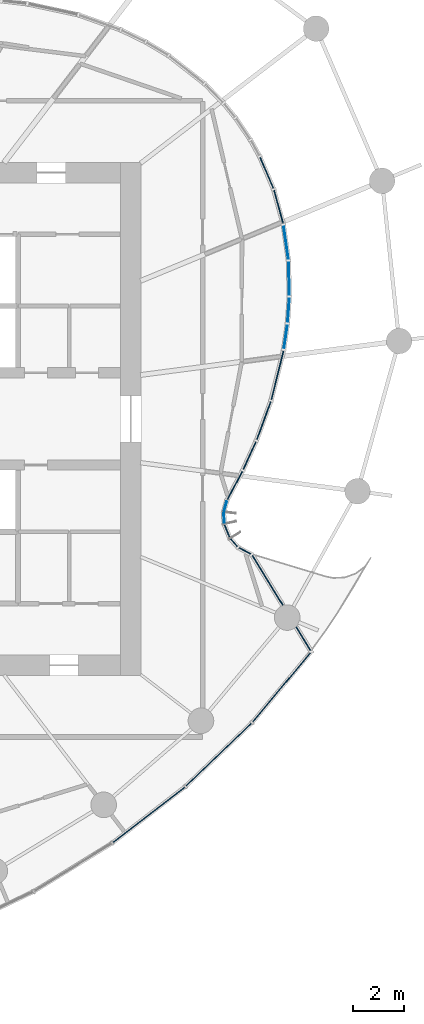
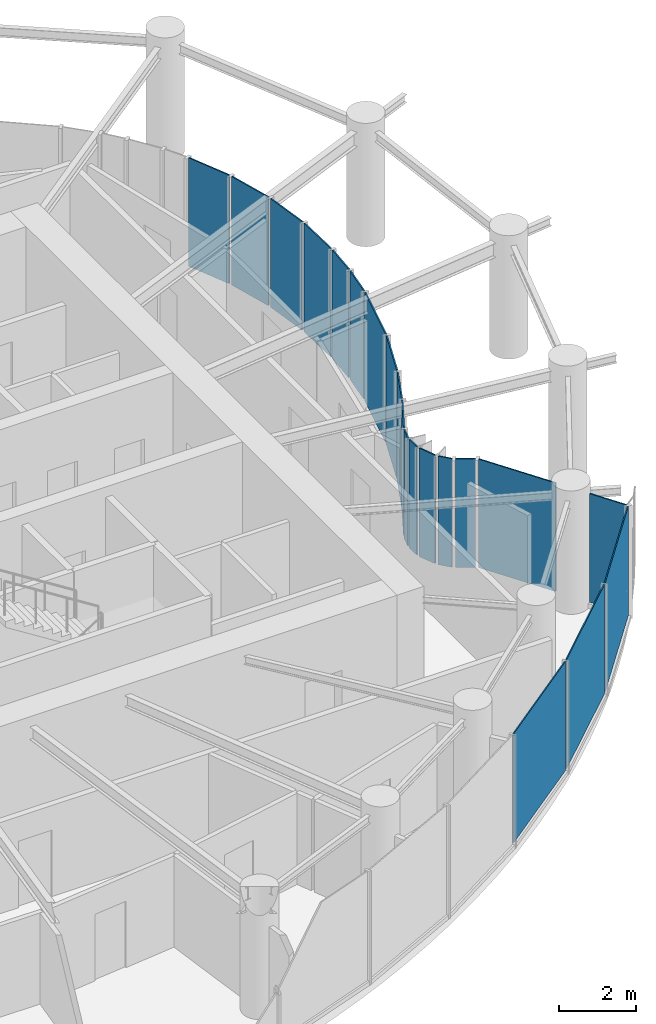
# One storey, part 10 of 19: 20 plates, 4 elements without a shape of their own.
"""IFC4 building model written with IfcOpenShell, lengths in metres."""

from ifc_helpers import new_model, si_unit, direction, frame, origin, origin_2d, place, context, subcontext, project, spatial, rectangle, extrude, source, transform, mapped, material, layer, layer_set, type_object, element, aggregate, save


model = new_model("IFC4")

# Units and contexts
model_context = context("Model", 3, precision=1e-05, world=origin(), true_north=direction((0.0, 1.0)))
body_context = subcontext(model_context, "Body", "Model", "MODEL_VIEW")
ifc_project = project(units=[si_unit("LENGTHUNIT", "METRE"), si_unit("AREAUNIT", "SQUARE_METRE"), si_unit("VOLUMEUNIT", "CUBIC_METRE"), si_unit("PLANEANGLEUNIT", "RADIAN"), si_unit("MASSUNIT", "GRAM", prefix="KILO")], contexts=[model_context])

# Site, building, storey
site_placement = place(None, origin())
site = spatial("IfcSite", under=ifc_project, at=site_placement, CompositionType="ELEMENT")
building_placement = place(site_placement, origin())
building = spatial("IfcBuilding", under=site, at=building_placement, Name="Spindrift Exchange Tower", CompositionType="ELEMENT")
storey_placement = place(building_placement, frame((0.0, 0.0, 137.0)))
storey = spatial("IfcBuildingStorey", under=building, at=storey_placement, Name="L32", CompositionType="ELEMENT", Elevation=137.0)

# Curtain wall, plates
ifc_material_1 = material(Name="Fritted laminated glass with bronze frame", Category="glass")
ifc_layer_1 = layer(ifc_material_1, 0.199951171875)
ifc_layer_set_1 = layer_set([ifc_layer_1], Name="SKY GARDEN BRONZE GLAZED WALL")
curtain_wall_type_1 = type_object("IfcCurtainWallType", Name="SKY GARDEN BRONZE GLAZED WALL", PredefinedType="NOTDEFINED", material=ifc_layer_set_1)
curtain_wall_1_placement = place(storey_placement, origin())
curtain_wall_1 = element("IfcCurtainWall", 1, at=curtain_wall_1_placement, inside=storey, type_object=curtain_wall_type_1, Name="L32 Sky Garden Bronze Glazed Wall run 6", PredefinedType="NOTDEFINED")
ifc_material_2 = material(Name="Bronze tinted laminated glass, clear vision", Category="glass")
ifc_layer_2 = layer(ifc_material_2, 0.0380859375)
ifc_layer_set_2 = layer_set([ifc_layer_2], Name="SKY GARDEN BRONZE GLAZED WALL PANEL CLEAR 1920")
plate_type_1 = type_object("IfcPlateType", Name="SKY GARDEN BRONZE GLAZED WALL PANEL CLEAR 1920", PredefinedType="CURTAIN_PANEL", material=ifc_layer_set_2)
shared_shape_1 = source(origin(), body_context, "Body", "SweptSolid", [
    extrude(rectangle(XDim=0.525146484375, YDim=0.0380859375, at=origin_2d()), origin(), (0.0, 0.0, 1.0), 3.429931640625),
])
plate_1_placement = place(storey_placement, frame((69.049560546875, 42.8525390625, 0.14990234375), z_axis=(0.0, 0.0, 1.0), x_axis=(-0.881347985011, 0.472467701877, 0.0)))
plate_1 = element("IfcPlate", 2, at=plate_1_placement, type_object=plate_type_1, Name="L32 panel CW-G.29", PredefinedType="CURTAIN_PANEL", context=body_context, shape_type="MappedRepresentation", body=[
    mapped(shared_shape_1, transform((0.0, 0.0, 0.0), scale=1.0)),
])
shared_shape_2 = source(origin(), body_context, "Body", "SweptSolid", [
    extrude(rectangle(XDim=0.380859375, YDim=0.0380859375, at=origin_2d()), origin(), (0.0, 0.0, 1.0), 3.429931640625),
])
plate_2_placement = place(storey_placement, frame((68.625244140625, 43.170166015625, 0.14990234375), z_axis=(0.0, 0.0, 1.0), x_axis=(-0.666838172928, 0.745202557112, 0.0)))
plate_2 = element("IfcPlate", 3, at=plate_2_placement, type_object=plate_type_1, Name="L32 panel CW-G.30", PredefinedType="CURTAIN_PANEL", context=body_context, shape_type="MappedRepresentation", body=[
    mapped(shared_shape_2, transform((0.0, 0.0, 0.0), scale=1.0)),
])
ifc_layer_3 = layer(ifc_material_2, 0.0380859375)
ifc_layer_set_3 = layer_set([ifc_layer_3], Name="SKY GARDEN BRONZE GLAZED WALL PANEL CLEAR 1560")
plate_type_2 = type_object("IfcPlateType", Name="SKY GARDEN BRONZE GLAZED WALL PANEL CLEAR 1560", PredefinedType="CURTAIN_PANEL", material=ifc_layer_set_3)
shared_shape_3 = source(origin(), body_context, "Body", "SweptSolid", [
    extrude(rectangle(XDim=0.522705078125, YDim=0.0380859375, at=origin_2d()), origin(), (0.0, 0.0, 1.0), 3.429931640625),
])
plate_3_placement = place(storey_placement, frame((68.356689453125, 43.625732421875, 0.14990234375), z_axis=(0.0, 0.0, 1.0), x_axis=(-0.37258128248, 0.927999562471, 0.0)))
plate_3 = element("IfcPlate", 4, at=plate_3_placement, type_object=plate_type_2, Name="L32 panel CW-G.31", PredefinedType="CURTAIN_PANEL", context=body_context, shape_type="MappedRepresentation", body=[
    mapped(shared_shape_3, transform((0.0, 0.0, 0.0), scale=1.0)),
])

# Curtain wall, plate
curtain_wall_2_placement = place(storey_placement, origin())
curtain_wall_2 = element("IfcCurtainWall", 5, at=curtain_wall_2_placement, inside=storey, type_object=curtain_wall_type_1, Name="L32 Sky Garden Bronze Glazed Wall run 7", PredefinedType="NOTDEFINED")
ifc_layer_4 = layer(ifc_material_2, 0.0380859375)
ifc_layer_set_4 = layer_set([ifc_layer_4], Name="SKY GARDEN BRONZE GLAZED WALL PANEL CLEAR 1200")
plate_type_3 = type_object("IfcPlateType", Name="SKY GARDEN BRONZE GLAZED WALL PANEL CLEAR 1200", PredefinedType="CURTAIN_PANEL", material=ifc_layer_set_4)
shared_shape_4 = source(origin(), body_context, "Body", "SweptSolid", [
    extrude(rectangle(XDim=0.965576171875, YDim=0.0380859375, at=origin_2d()), origin(), (0.0, 0.0, 1.0), 3.429931640625),
])
plate_4_placement = place(storey_placement, frame((70.74951171875, 52.2421875, 0.14990234375), z_axis=(0.0, 0.0, 1.0), x_axis=(0.069683348293, 0.997569160996, 0.0)))
plate_4 = element("IfcPlate", 6, at=plate_4_placement, type_object=plate_type_3, Name="L32 panel CW-G.39", PredefinedType="CURTAIN_PANEL", context=body_context, shape_type="MappedRepresentation", body=[
    mapped(shared_shape_4, transform((0.0, 0.0, 0.0), scale=1.0)),
])

# Curtain wall, plates
ifc_layer_5 = layer(ifc_material_1, 0.179931640625)
ifc_layer_set_5 = layer_set([ifc_layer_5], Name="ZONE 3 BRONZE FRITTED WALL")
curtain_wall_type_2 = type_object("IfcCurtainWallType", Name="ZONE 3 BRONZE FRITTED WALL", PredefinedType="NOTDEFINED", material=ifc_layer_set_5)
curtain_wall_3_placement = place(storey_placement, origin())
curtain_wall_3 = element("IfcCurtainWall", 7, at=curtain_wall_3_placement, inside=storey, type_object=curtain_wall_type_2, Name="L32 Zone 3 Bronze Fritted Wall run 5", PredefinedType="NOTDEFINED")
ifc_material_3 = material(Name="Bronze fritted laminated glass, open frit", Category="glass")
ifc_layer_6 = layer(ifc_material_3, 0.031982421875)
ifc_layer_set_6 = layer_set([ifc_layer_6], Name="ZONE 3 BRONZE FRITTED WALL PANEL OPEN FRIT 360")
plate_type_4 = type_object("IfcPlateType", Name="ZONE 3 BRONZE FRITTED WALL PANEL OPEN FRIT 360", PredefinedType="CURTAIN_PANEL", material=ifc_layer_set_6)
shared_shape_5 = source(origin(), body_context, "Body", "SweptSolid", [
    extrude(rectangle(XDim=3.531005859375, YDim=0.031982421875, at=origin_2d()), origin(), (0.0, 0.0, 1.0), 3.449951171875),
])
plate_5_placement = place(storey_placement, frame((65.308349609375, 32.564453125, 0.1298828125), z_axis=(0.0, 0.0, 1.0), x_axis=(0.791422012054, 0.61127015209, 0.0)))
plate_5 = element("IfcPlate", 8, at=plate_5_placement, type_object=plate_type_4, Name="L32 panel CW-3.25", PredefinedType="CURTAIN_PANEL", context=body_context, shape_type="MappedRepresentation", body=[
    mapped(shared_shape_5, transform((0.0, 0.0, 0.0), scale=1.0)),
])
ifc_layer_7 = layer(ifc_material_3, 0.031982421875)
ifc_layer_set_7 = layer_set([ifc_layer_7], Name="ZONE 3 BRONZE FRITTED WALL PANEL OPEN FRIT 600")
plate_type_5 = type_object("IfcPlateType", Name="ZONE 3 BRONZE FRITTED WALL PANEL OPEN FRIT 600", PredefinedType="CURTAIN_PANEL", material=ifc_layer_set_7)
shared_shape_6 = source(origin(), body_context, "Body", "SweptSolid", [
    extrude(rectangle(XDim=3.530517578125, YDim=0.031982421875, at=origin_2d()), origin(), (0.0, 0.0, 1.0), 3.449951171875),
])
plate_6_placement = place(storey_placement, frame((70.485107421875, 37.5400390625, 0.1298828125), z_axis=(0.0, 0.0, 1.0), x_axis=(0.640503842064, 0.767954965022, 0.0)))
plate_6 = element("IfcPlate", 9, at=plate_6_placement, type_object=plate_type_5, Name="L32 panel CW-3.27", PredefinedType="CURTAIN_PANEL", context=body_context, shape_type="MappedRepresentation", body=[
    mapped(shared_shape_6, transform((0.0, 0.0, 0.0), scale=1.0)),
])
ifc_layer_8 = layer(ifc_material_3, 0.031982421875)
ifc_layer_set_8 = layer_set([ifc_layer_8], Name="ZONE 3 BRONZE FRITTED WALL PANEL OPEN FRIT 480")
plate_type_6 = type_object("IfcPlateType", Name="ZONE 3 BRONZE FRITTED WALL PANEL OPEN FRIT 480", PredefinedType="CURTAIN_PANEL", material=ifc_layer_set_8)
shared_shape_7 = source(origin(), body_context, "Body", "SweptSolid", [
    extrude(rectangle(XDim=3.53076171875, YDim=0.031982421875, at=origin_2d()), origin(), (0.0, 0.0, 1.0), 3.449951171875),
])
plate_7_placement = place(storey_placement, frame((68.03271484375, 34.911376953125, 0.1298828125), z_axis=(0.0, 0.0, 1.0), x_axis=(0.721740899533, 0.692163328948, 0.0)))
plate_7 = element("IfcPlate", 10, at=plate_7_placement, type_object=plate_type_6, Name="L32 panel CW-3.26", PredefinedType="CURTAIN_PANEL", context=body_context, shape_type="MappedRepresentation", body=[
    mapped(shared_shape_7, transform((0.0, 0.0, 0.0), scale=1.0)),
])
aggregate(curtain_wall_3, [plate_5, plate_7, plate_6])

# Plate
shared_shape_8 = source(origin(), body_context, "Body", "SweptSolid", [
    extrude(rectangle(XDim=1.083984375, YDim=0.0380859375, at=origin_2d()), origin(), (0.0, 0.0, 1.0), 3.429931640625),
])
plate_8_placement = place(storey_placement, frame((71.3330078125, 39.4208984375, 0.14990234375), z_axis=(0.0, 0.0, 1.0), x_axis=(-0.522482195104, 0.852650195449, 0.0)))
plate_8 = element("IfcPlate", 11, at=plate_8_placement, type_object=plate_type_1, Name="L32 panel CW-G.28", PredefinedType="CURTAIN_PANEL", context=body_context, shape_type="MappedRepresentation", body=[
    mapped(shared_shape_8, transform((0.0, 0.0, 0.0), scale=1.0)),
])

shared_shape_9 = source(origin(), body_context, "Body", "SweptSolid", [
    extrude(rectangle(XDim=2.271240234375, YDim=0.0380859375, at=origin_2d()), origin(), (0.0, 0.0, 1.0), 3.429931640625),
])
plate_9_placement = place(storey_placement, frame((69.93408203125, 41.703857421875, 0.14990234375), z_axis=(0.0, 0.0, 1.0), x_axis=(-0.522482195104, 0.852650195449, 0.0)))
plate_9 = element("IfcPlate", 12, at=plate_9_placement, type_object=plate_type_1, Name="L32 panel CW-G.28b", PredefinedType="CURTAIN_PANEL", context=body_context, shape_type="MappedRepresentation", body=[
    mapped(shared_shape_9, transform((0.0, 0.0, 0.0), scale=1.0)),
])

shared_shape_10 = source(origin(), body_context, "Body", "SweptSolid", [
    extrude(rectangle(XDim=0.380859375, YDim=0.0380859375, at=origin_2d()), origin(), (0.0, 0.0, 1.0), 3.429931640625),
])
plate_10_placement = place(storey_placement, frame((68.235595703125, 44.140380859375, 0.14990234375), z_axis=(0.0, 0.0, 1.0), x_axis=(-0.03370813848, 0.999431719229, 0.0)))
plate_10 = element("IfcPlate", 13, at=plate_10_placement, type_object=plate_type_2, Name="L32 panel CW-G.32", PredefinedType="CURTAIN_PANEL", context=body_context, shape_type="MappedRepresentation", body=[
    mapped(shared_shape_10, transform((0.0, 0.0, 0.0), scale=1.0)),
])

shared_shape_11 = source(origin(), body_context, "Body", "SweptSolid", [
    extrude(rectangle(XDim=0.375732421875, YDim=0.0380859375, at=origin_2d()), origin(), (0.0, 0.0, 1.0), 3.429931640625),
])
plate_11_placement = place(storey_placement, frame((68.28857421875, 44.595458984375, 0.14990234375), z_axis=(0.0, 0.0, 1.0), x_axis=(0.263263581099, 0.964723943347, 0.0)))
plate_11 = element("IfcPlate", 14, at=plate_11_placement, type_object=plate_type_3, Name="L32 panel CW-G.33", PredefinedType="CURTAIN_PANEL", context=body_context, shape_type="MappedRepresentation", body=[
    mapped(shared_shape_11, transform((0.0, 0.0, 0.0), scale=1.0)),
])

aggregate(curtain_wall_1, [plate_8, plate_9, plate_1, plate_2, plate_3, plate_10, plate_11])

shared_shape_12 = source(origin(), body_context, "Body", "SweptSolid", [
    extrude(rectangle(XDim=1.240478515625, YDim=0.0380859375, at=origin_2d()), origin(), (0.0, 0.0, 1.0), 3.429931640625),
])
plate_12_placement = place(storey_placement, frame((68.6591796875, 45.4033203125, 0.14990234375), z_axis=(0.0, 0.0, 1.0), x_axis=(0.467649062573, 0.883914223369, 0.0)))
plate_12 = element("IfcPlate", 15, at=plate_12_placement, type_object=plate_type_3, Name="L32 panel CW-G.34", PredefinedType="CURTAIN_PANEL", context=body_context, shape_type="MappedRepresentation", body=[
    mapped(shared_shape_12, transform((0.0, 0.0, 0.0), scale=1.0)),
])

shared_shape_13 = source(origin(), body_context, "Body", "SweptSolid", [
    extrude(rectangle(XDim=1.18701171875, YDim=0.0380859375, at=origin_2d()), origin(), (0.0, 0.0, 1.0), 3.429931640625),
])
plate_13_placement = place(storey_placement, frame((69.23388671875, 46.5673828125, 0.14990234375), z_axis=(0.0, 0.0, 1.0), x_axis=(0.416318877888, 0.90921867112, 0.0)))
plate_13 = element("IfcPlate", 16, at=plate_13_placement, type_object=plate_type_3, Name="L32 panel CW-G.35", PredefinedType="CURTAIN_PANEL", context=body_context, shape_type="MappedRepresentation", body=[
    mapped(shared_shape_13, transform((0.0, 0.0, 0.0), scale=1.0)),
])

shared_shape_14 = source(origin(), body_context, "Body", "SweptSolid", [
    extrude(rectangle(XDim=1.578857421875, YDim=0.0380859375, at=origin_2d()), origin(), (0.0, 0.0, 1.0), 3.429931640625),
])
plate_14_placement = place(storey_placement, frame((69.78515625, 47.926513671875, 0.14990234375), z_axis=(0.0, 0.0, 1.0), x_axis=(0.344554448062, 0.938766335315, 0.0)))
plate_14 = element("IfcPlate", 17, at=plate_14_placement, type_object=plate_type_1, Name="L32 panel CW-G.36", PredefinedType="CURTAIN_PANEL", context=body_context, shape_type="MappedRepresentation", body=[
    mapped(shared_shape_14, transform((0.0, 0.0, 0.0), scale=1.0)),
])

shared_shape_15 = source(origin(), body_context, "Body", "SweptSolid", [
    extrude(rectangle(XDim=1.9560546875, YDim=0.0380859375, at=origin_2d()), origin(), (0.0, 0.0, 1.0), 3.429931640625),
])
plate_15_placement = place(storey_placement, frame((70.31787109375, 49.697998046875, 0.14990234375), z_axis=(0.0, 0.0, 1.0), x_axis=(0.241059816123, 0.970510260147, 0.0)))
plate_15 = element("IfcPlate", 18, at=plate_15_placement, type_object=plate_type_2, Name="L32 panel CW-G.37", PredefinedType="CURTAIN_PANEL", context=body_context, shape_type="MappedRepresentation", body=[
    mapped(shared_shape_15, transform((0.0, 0.0, 0.0), scale=1.0)),
])

shared_shape_16 = source(origin(), body_context, "Body", "SweptSolid", [
    extrude(rectangle(XDim=0.95556640625, YDim=0.0380859375, at=origin_2d()), origin(), (0.0, 0.0, 1.0), 3.429931640625),
])
plate_16_placement = place(storey_placement, frame((70.638427734375, 51.203369140625, 0.14990234375), z_axis=(0.0, 0.0, 1.0), x_axis=(0.143278437461, 0.989682418435, 0.0)))
plate_16 = element("IfcPlate", 19, at=plate_16_placement, type_object=plate_type_3, Name="L32 panel CW-G.38", PredefinedType="CURTAIN_PANEL", context=body_context, shape_type="MappedRepresentation", body=[
    mapped(shared_shape_16, transform((0.0, 0.0, 0.0), scale=1.0)),
])

aggregate(curtain_wall_2, [plate_12, plate_13, plate_14, plate_15, plate_16, plate_4])

# Curtain wall, plates
curtain_wall_4_placement = place(storey_placement, origin())
curtain_wall_4 = element("IfcCurtainWall", 20, at=curtain_wall_4_placement, inside=storey, type_object=curtain_wall_type_1, Name="L32 Sky Garden Bronze Glazed Wall run 8", PredefinedType="NOTDEFINED")
shared_shape_17 = source(origin(), body_context, "Body", "SweptSolid", [
    extrude(rectangle(XDim=1.325927734375, YDim=0.0380859375, at=origin_2d()), origin(), (0.0, 0.0, 1.0), 3.429931640625),
])
plate_17_placement = place(storey_placement, frame((70.768798828125, 53.471435546875, 0.14990234375), z_axis=(0.0, 0.0, 1.0), x_axis=(-0.024379833872, 0.999702767677, 0.0)))
plate_17 = element("IfcPlate", 21, at=plate_17_placement, type_object=plate_type_2, Name="L32 panel CW-G.40", PredefinedType="CURTAIN_PANEL", context=body_context, shape_type="MappedRepresentation", body=[
    mapped(shared_shape_17, transform((0.0, 0.0, 0.0), scale=1.0)),
])
shared_shape_18 = source(origin(), body_context, "Body", "SweptSolid", [
    extrude(rectangle(XDim=1.3330078125, YDim=0.0380859375, at=origin_2d()), origin(), (0.0, 0.0, 1.0), 3.429931640625),
])
plate_18_placement = place(storey_placement, frame((70.651611328125, 54.878662109375, 0.14990234375), z_axis=(0.0, 0.0, 1.0), x_axis=(-0.141243351133, 0.989974906632, 0.0)))
plate_18 = element("IfcPlate", 22, at=plate_18_placement, type_object=plate_type_3, Name="L32 panel CW-G.41", PredefinedType="CURTAIN_PANEL", context=body_context, shape_type="MappedRepresentation", body=[
    mapped(shared_shape_18, transform((0.0, 0.0, 0.0), scale=1.0)),
])
shared_shape_19 = source(origin(), body_context, "Body", "SweptSolid", [
    extrude(rectangle(XDim=1.335693359375, YDim=0.0380859375, at=origin_2d()), origin(), (0.0, 0.0, 1.0), 3.429931640625),
])
plate_19_placement = place(storey_placement, frame((70.362548828125, 56.265380859375, 0.14990234375), z_axis=(0.0, 0.0, 1.0), x_axis=(-0.26585057128, 0.964014249765, 0.0)))
plate_19 = element("IfcPlate", 23, at=plate_19_placement, type_object=plate_type_2, Name="L32 panel CW-G.42", PredefinedType="CURTAIN_PANEL", context=body_context, shape_type="MappedRepresentation", body=[
    mapped(shared_shape_19, transform((0.0, 0.0, 0.0), scale=1.0)),
])
shared_shape_20 = source(origin(), body_context, "Body", "SweptSolid", [
    extrude(rectangle(XDim=1.310302734375, YDim=0.0380859375, at=origin_2d()), origin(), (0.0, 0.0, 1.0), 3.429931640625),
])
plate_20_placement = place(storey_placement, frame((69.89990234375, 57.592041015625, 0.14990234375), z_axis=(0.0, 0.0, 1.0), x_axis=(-0.392276110869, 0.919847516082, 0.0)))
plate_20 = element("IfcPlate", 24, at=plate_20_placement, type_object=plate_type_2, Name="L32 panel CW-G.43", PredefinedType="CURTAIN_PANEL", context=body_context, shape_type="MappedRepresentation", body=[
    mapped(shared_shape_20, transform((0.0, 0.0, 0.0), scale=1.0)),
])
aggregate(curtain_wall_4, [plate_17, plate_18, plate_19, plate_20])

save(model, "model.ifc")
